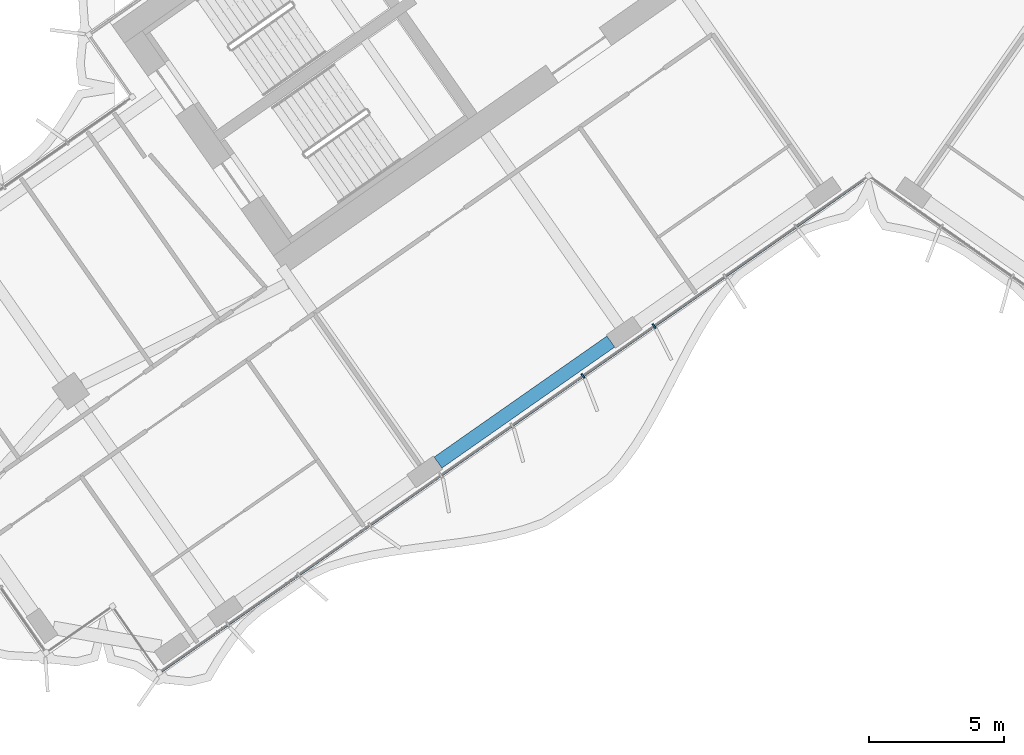
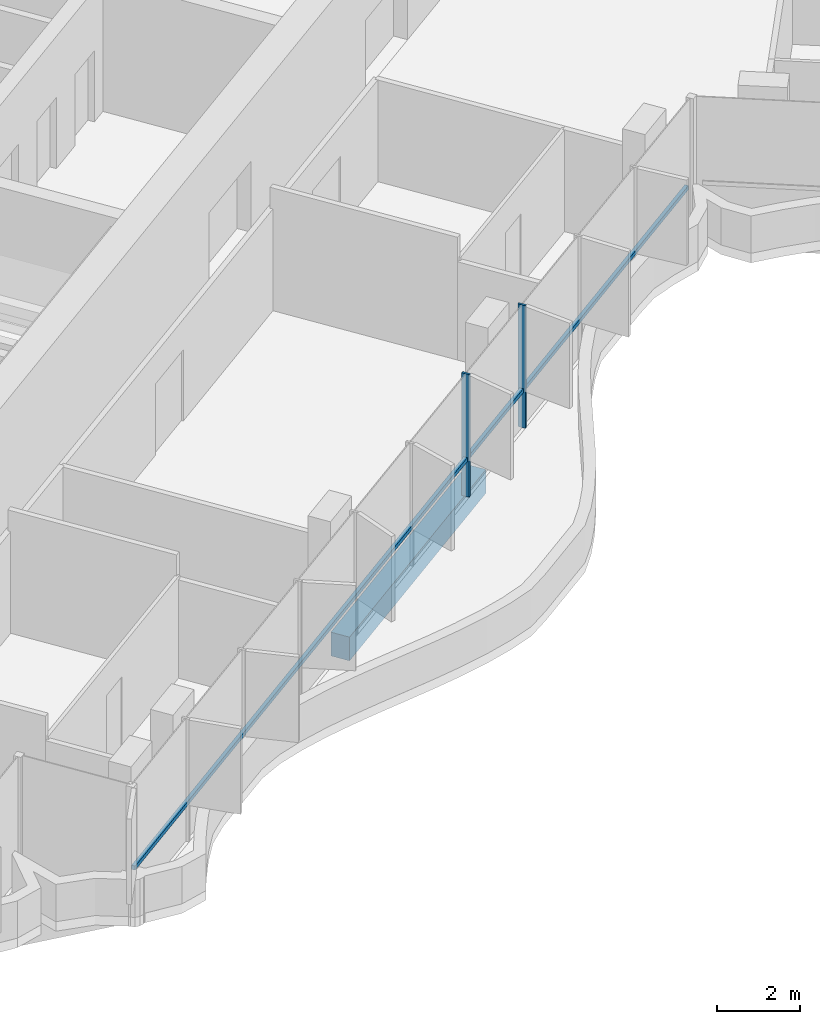
# One storey, part 3 of 23: 3 members, 1 beam, 1 element without a shape of its own.
"""IFC4 building model written with IfcOpenShell, lengths in metres."""

from ifc_helpers import new_model, si_unit, direction, frame, origin, origin_2d, place, context, subcontext, project, spatial, rectangle, extrude, material, material_profile, profile_set, type_object, element, aggregate, save


model = new_model("IFC4")

# Units and contexts
model_context = context("Model", 3, precision=1e-05, world=origin(), true_north=direction((0.0, 1.0)))
body_context = subcontext(model_context, "Body", "Model", "MODEL_VIEW")
ifc_project = project(units=[si_unit("LENGTHUNIT", "METRE"), si_unit("AREAUNIT", "SQUARE_METRE"), si_unit("VOLUMEUNIT", "CUBIC_METRE"), si_unit("PLANEANGLEUNIT", "RADIAN"), si_unit("MASSUNIT", "GRAM", prefix="KILO")], contexts=[model_context])

# Site, building, storey
site_placement = place(None, origin())
site = spatial("IfcSite", under=ifc_project, at=site_placement, CompositionType="ELEMENT")
building_placement = place(site_placement, origin())
building = spatial("IfcBuilding", under=site, at=building_placement, Name="Tel Ilan Convention Tower", CompositionType="ELEMENT")
storey_placement = place(building_placement, frame((0.0, 0.0, 178.800048828125)))
storey = spatial("IfcBuildingStorey", under=building, at=storey_placement, Name="L41", CompositionType="ELEMENT", Elevation=178.800048828125)

# Beam
ifc_material_1 = material(Name="Concrete C40/50", Category="concrete")
ifc_material_profile_1 = material_profile(ifc_material_1, rectangle(XDim=0.5, YDim=0.699951171875, at=origin_2d()), Name="RC 500x700")
ifc_profile_set_1 = profile_set([ifc_material_profile_1], Name="Concrete C40/50")
beam_type = type_object("IfcBeamType", Name="Beam RC 500x700 Concrete C40/50", PredefinedType="BEAM", material=ifc_profile_set_1)
beam_placement = place(storey_placement, frame((-9.529052734375, -18.819091796875, -0.630126953125), z_axis=(-0.819153977895, -0.573573674866, 0.0), x_axis=(0.573573674866, -0.819153977895, 0.0)))
element("IfcBeam", 1, at=beam_placement, inside=storey, type_object=beam_type, Name="L41 beam W-W-F2-W-F3", PredefinedType="BEAM", context=body_context, shape_type="SweptSolid", body=[
    extrude(rectangle(XDim=0.5, YDim=0.699951171875, at=origin_2d()), origin(), (0.0, 0.0, 1.0), 7.800048828125),
])

# Curtain wall, members
ifc_material_2 = material(Name="Aluminium, bronze anodised", Category="aluminium")
curtain_wall_type = type_object("IfcCurtainWallType", Name="CW4 STICK CURTAIN WALL, OFFICE TINTED GLASS", PredefinedType="NOTDEFINED", material=ifc_material_2)
curtain_wall_placement = place(storey_placement, origin())
curtain_wall = element("IfcCurtainWall", 2, at=curtain_wall_placement, inside=storey, type_object=curtain_wall_type, Name="Curtain wall CW4-31.02", PredefinedType="NOTDEFINED")
ifc_material_3 = material(Name="Aluminium, bronze anodised", Category="aluminium")
ifc_material_profile_2 = material_profile(ifc_material_3, rectangle(XDim=0.06005859375, YDim=0.199951171875, at=origin_2d()), Name="CW MULLION 60x200")
ifc_profile_set_2 = profile_set([ifc_material_profile_2], Name="Aluminium, bronze anodised")
member_type_1 = type_object("IfcMemberType", Name="CW MULLION 60x200", PredefinedType="MULLION", material=ifc_profile_set_2)
member_1_placement = place(storey_placement, frame((-10.55810546875, -20.0888671875, 0.0), z_axis=(0.0, 0.0, 1.0), x_axis=(0.819152044289, 0.573576436351, 0.0)))
member_1 = element("IfcMember", 3, at=member_1_placement, type_object=member_type_1, Name="Mullion", PredefinedType="MULLION", context=body_context, shape_type="SweptSolid", body=[
    extrude(rectangle(XDim=0.06005859375, YDim=0.199951171875, at=origin_2d()), origin(), (0.0, 0.0, 1.0), 3.619873046875),
])
member_2_placement = place(storey_placement, frame((-7.932861328125, -18.250732421875, 0.0), z_axis=(0.0, 0.0, 1.0), x_axis=(0.819152044289, 0.573576436351, 0.0)))
member_2 = element("IfcMember", 4, at=member_2_placement, type_object=member_type_1, Name="Mullion", PredefinedType="MULLION", context=body_context, shape_type="SweptSolid", body=[
    extrude(rectangle(XDim=0.06005859375, YDim=0.199951171875, at=origin_2d()), origin(), (0.0, 0.0, 1.0), 3.619873046875),
])
ifc_material_4 = material(Name="Aluminium, bronze anodised", Category="aluminium")
ifc_material_profile_3 = material_profile(ifc_material_4, rectangle(XDim=0.10009765625, YDim=0.1201171875, at=origin_2d()), Name="CW TRANSOM 100x120")
ifc_profile_set_3 = profile_set([ifc_material_profile_3], Name="Aluminium, bronze anodised")
member_type_2 = type_object("IfcMemberType", Name="CW TRANSOM 100x120", PredefinedType="USERDEFINED", material=ifc_profile_set_3)
member_3_placement = place(storey_placement, frame((-26.1455078125, -31.00341796875, 1.099853515625), z_axis=(0.819149281128, 0.573580382534, 0.0), x_axis=(-0.573580382534, 0.819149281128, 0.0)))
member_3 = element("IfcMember", 5, at=member_3_placement, type_object=member_type_2, Name="Transom", ObjectType="TRANSOM", PredefinedType="USERDEFINED", context=body_context, shape_type="SweptSolid", body=[
    extrude(rectangle(XDim=0.10009765625, YDim=0.1201171875, at=origin_2d()), origin(), (0.0, 0.0, 1.0), 31.64794921875),
])
aggregate(curtain_wall, [member_1, member_2, member_3])

save(model, "model.ifc")
